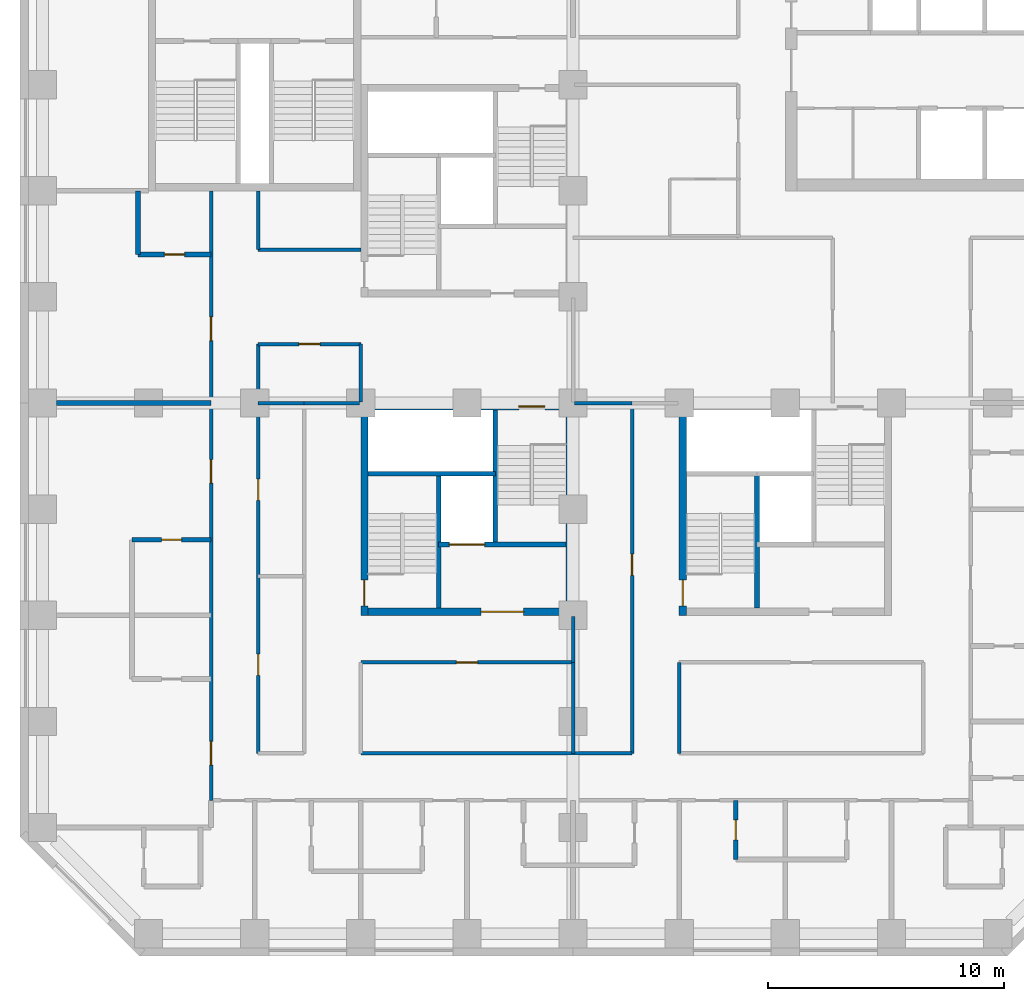
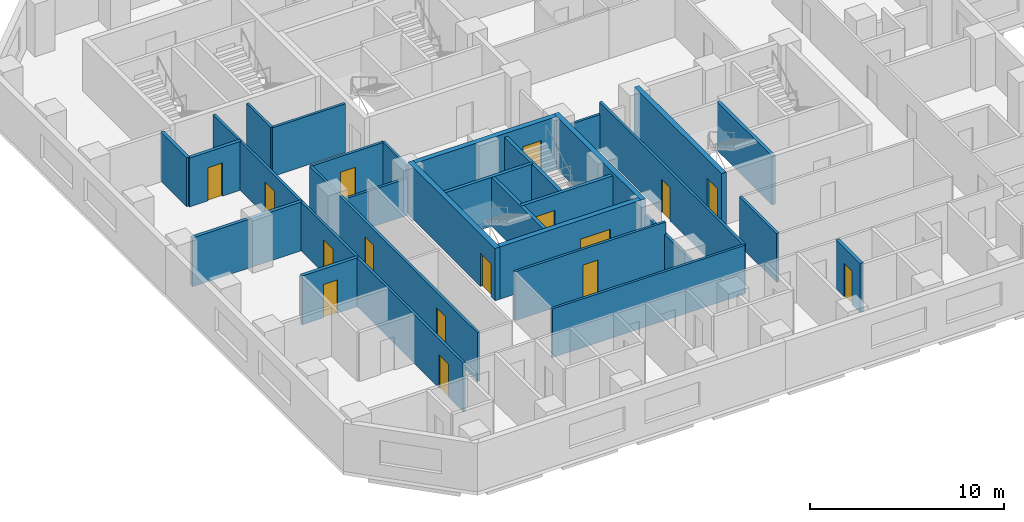
# One storey, part 3 of 12: 30 walls, 16 doors, 16 openings.
"""IFC4 building model written with IfcOpenShell, lengths in metres."""

from ifc_helpers import new_model, si_unit, direction, frame, frame_2d, origin, place, context, subcontext, project, spatial, rectangle, extrude, material, layer, layer_set, type_object, element, fill, save


model = new_model("IFC4")

# Units and contexts
model_context = context("Model", 3, precision=1e-05, world=origin(), true_north=direction((0.0, 1.0)))
body_context = subcontext(model_context, "Body", "Model", "MODEL_VIEW")
ifc_project = project(units=[si_unit("LENGTHUNIT", "METRE"), si_unit("AREAUNIT", "SQUARE_METRE"), si_unit("VOLUMEUNIT", "CUBIC_METRE"), si_unit("PLANEANGLEUNIT", "RADIAN"), si_unit("MASSUNIT", "GRAM", prefix="KILO")], contexts=[model_context])

# Site, building, storey
site_placement = place(None, origin())
site = spatial("IfcSite", under=ifc_project, at=site_placement, CompositionType="ELEMENT")
building_placement = place(site_placement, origin())
building = spatial("IfcBuilding", under=site, at=building_placement, Name="Quoin Convention Tower", CompositionType="ELEMENT")
storey_placement = place(building_placement, frame((0.0, 0.0, 29.699951171875)))
storey = spatial("IfcBuildingStorey", under=building, at=storey_placement, Name="L06", CompositionType="ELEMENT", Elevation=29.699951171875)

# Wall
ifc_material_1 = material(Name="Concrete C50", Category="concrete")
ifc_layer_1 = layer(ifc_material_1, 0.199951171875)
ifc_layer_set_1 = layer_set([ifc_layer_1], Name="Concrete C50")
wall_type_1 = type_object("IfcWallType", Name="Core shaft wall", PredefinedType="SOLIDWALL", material=ifc_layer_set_1)
wall_1_placement = place(storey_placement, frame((43.800048828125, 31.800048828125, 0.0), z_axis=(0.0, 0.0, 1.0), x_axis=(0.0, 1.0, 0.0)))
element("IfcWall", 1, at=wall_1_placement, inside=storey, type_object=wall_type_1, Name="cr-P3-L06-v3300_300", PredefinedType="SOLIDWALL", context=body_context, shape_type="SweptSolid", body=[
    extrude(rectangle(XDim=5.699951171875, YDim=0.199951171875, at=frame_2d((2.85009765625, 0.0))), origin(), (0.0, 0.0, 1.0), 3.080078125),
])

# Wall, opening, door
wall_2_placement = place(storey_placement, frame((30.300048828125, 34.5, 0.0), z_axis=(0.0, 0.0, 1.0), x_axis=(1.0, 0.0, 0.0)))
wall_2 = element("IfcWall", 2, at=wall_2_placement, inside=storey, type_object=wall_type_1, Name="cr-P4-L06-h3000_3300", PredefinedType="SOLIDWALL", context=body_context, shape_type="SweptSolid", body=[
    extrude(rectangle(XDim=5.39990234375, YDim=0.199951171875, at=frame_2d((2.699951171875, 0.0))), origin(), (0.0, 0.0, 1.0), 3.080078125),
])
opening_1_placement = place(wall_2_placement, frame((0.449951171875, 0.0, 0.0)))
opening_1 = element("IfcOpeningElement", 3, at=opening_1_placement, cuts=wall_2, Name="Opening LDGL1", PredefinedType="OPENING", context=body_context, shape_type="SweptSolid", body=[
    extrude(rectangle(XDim=1.5, YDim=2.10009765625, at=frame_2d((0.75, 1.050048828125))), frame((0.0, 0.10986328125, 0.0), z_axis=(0.0, -1.0, 0.0), x_axis=(1.0, 0.0, 0.0)), (0.0, 0.0, 1.0), 0.219970703125),
])
ifc_material_2 = material(Name="Steel door leaf", Category="steel")
door_type_1 = type_object("IfcDoorType", Name="Lift landing door 1500 x 2100", OperationType="DOUBLE_DOOR_SLIDING", PredefinedType="DOOR", material=ifc_material_2)
door_1_placement = place(opening_1_placement, origin())
door_1 = element("IfcDoor", 4, at=door_1_placement, inside=storey, type_object=door_type_1, Name="cd-P4-L06-CEN-R2-LDGL1", OperationType="DOUBLE_DOOR_SLIDING", OverallHeight=2.10009765625, OverallWidth=1.5, PredefinedType="DOOR", context=body_context, shape_type="SweptSolid", body=[
    extrude(rectangle(XDim=1.5, YDim=2.10009765625, at=frame_2d((0.75, 1.050048828125))), frame((0.0, 0.02490234375, 0.0), z_axis=(0.0, -1.0, 0.0), x_axis=(1.0, 0.0, 0.0)), (0.0, 0.0, 1.0), 0.050048828125),
])
fill(opening_1, door_1)

# Walls
wall_3_placement = place(storey_placement, frame((27.300048828125, 37.5, 0.0), z_axis=(0.0, 0.0, 1.0), x_axis=(1.0, 0.0, 0.0)))
element("IfcWall", 5, at=wall_3_placement, inside=storey, type_object=wall_type_1, Name="cr-P4-L06-h6000_300", PredefinedType="SOLIDWALL", context=body_context, shape_type="SweptSolid", body=[
    extrude(rectangle(XDim=5.39990234375, YDim=0.199951171875, at=frame_2d((2.699951171875, 0.0))), origin(), (0.0, 0.0, 1.0), 3.080078125),
])
for number, where, z_axis, x_axis, name in (
    (6, (30.300048828125, 31.800048828125, 0.0), (0.0, 0.0, 1.0), (0.0, 1.0, 0.0), "cr-P4-L06-v3300_300"),
    (7, (32.699951171875, 34.5, 0.0), (0.0, 0.0, 1.0), (0.0, 1.0, 0.0), "cr-P4-L06-v5700_3000"),
):
    element("IfcWall", number, at=place(storey_placement, frame(where, z_axis=z_axis, x_axis=x_axis)), inside=storey, type_object=wall_type_1, Name=name, PredefinedType="SOLIDWALL", context=body_context, shape_type="SweptSolid", body=[
        extrude(rectangle(XDim=5.699951171875, YDim=0.199951171875, at=frame_2d((2.85009765625, 0.0))), origin(), (0.0, 0.0, 1.0), 3.080078125),
    ])

# Wall, opening, door
ifc_material_3 = material(Name="Concrete C80", Category="concrete")
ifc_layer_2 = layer(ifc_material_3, 0.300048828125)
ifc_layer_set_2 = layer_set([ifc_layer_2], Name="Concrete C80")
wall_type_2 = type_object("IfcWallType", Name="RC CORE WALL 300 C80", PredefinedType="SHEAR", material=ifc_layer_set_2)
wall_4_placement = place(storey_placement, frame((40.64990234375, 31.5, 0.0), z_axis=(0.0, 0.0, 1.0), x_axis=(0.0, 1.0, 0.0)))
wall_4 = element("IfcWall", 8, at=wall_4_placement, inside=storey, type_object=wall_type_2, Name="cwl-P3-L06-W", PredefinedType="SHEAR", context=body_context, shape_type="SweptSolid", body=[
    extrude(rectangle(XDim=9.0, YDim=0.300048828125, at=frame_2d((4.5, 0.0))), origin(), (0.0, 0.0, 1.0), 3.300048828125),
])
opening_2_placement = place(wall_4_placement, frame((0.39990234375, 0.0, 0.0)))
opening_2 = element("IfcOpeningElement", 9, at=opening_2_placement, cuts=wall_4, Name="Opening SD5", PredefinedType="OPENING", context=body_context, shape_type="SweptSolid", body=[
    extrude(rectangle(XDim=1.10009765625, YDim=2.10009765625, at=frame_2d((0.550048828125, 1.050048828125))), frame((0.0, 0.159912109375, 0.0), z_axis=(0.0, -1.0, 0.0), x_axis=(1.0, 0.0, 0.0)), (0.0, 0.0, 1.0), 0.320068359375),
])
door_type_2 = type_object("IfcDoorType", Name="Stair door 1100 x 2100", OperationType="SINGLE_SWING_RIGHT", PredefinedType="DOOR", material=ifc_material_2)
door_2_placement = place(opening_2_placement, frame((1.10009765625, 0.0, 0.0), z_axis=(0.0, 0.0, 1.0), x_axis=(-1.0, 0.0, 0.0)))
door_2 = element("IfcDoor", 10, at=door_2_placement, inside=storey, type_object=door_type_2, Name="cd-P3-L06-SA-W", OperationType="SINGLE_SWING_RIGHT", OverallHeight=2.10009765625, OverallWidth=1.10009765625, PredefinedType="DOOR", context=body_context, shape_type="SweptSolid", body=[
    extrude(rectangle(XDim=1.10009765625, YDim=2.10009765625, at=frame_2d((0.550048828125, 1.050048828125))), frame((0.0, 0.02490234375, 0.0), z_axis=(0.0, -1.0, 0.0), x_axis=(1.0, 0.0, 0.0)), (0.0, 0.0, 1.0), 0.050048828125),
])
fill(opening_2, door_2)

wall_5_placement = place(storey_placement, frame((27.300048828125, 31.64990234375, 0.0), z_axis=(0.0, 0.0, 1.0), x_axis=(1.0, 0.0, 0.0)))
wall_5 = element("IfcWall", 11, at=wall_5_placement, inside=storey, type_object=wall_type_2, Name="cwl-P4-L06-S", PredefinedType="SHEAR", context=body_context, shape_type="SweptSolid", body=[
    extrude(rectangle(XDim=8.39990234375, YDim=0.300048828125, at=frame_2d((4.199951171875, 0.0))), origin(), (0.0, 0.0, 1.0), 3.300048828125),
])
opening_3_placement = place(wall_5_placement, frame((4.800048828125, 0.0, 0.0)))
opening_3 = element("IfcOpeningElement", 12, at=opening_3_placement, cuts=wall_5, Name="Opening DCV2-43", PredefinedType="OPENING", context=body_context, shape_type="SweptSolid", body=[
    extrude(rectangle(XDim=1.800048828125, YDim=2.10009765625, at=frame_2d((0.89990234375, 1.050048828125))), frame((0.0, 0.159912109375, 0.0), z_axis=(0.0, -1.0, 0.0), x_axis=(1.0, 0.0, 0.0)), (0.0, 0.0, 1.0), 0.320068359375),
])
door_type_3 = type_object("IfcDoorType", Name="Goods lobby door 1800 x 2100", OperationType="SINGLE_SWING_LEFT", PredefinedType="DOOR", material=ifc_material_2)
door_3_placement = place(opening_3_placement, origin())
door_3 = element("IfcDoor", 13, at=door_3_placement, inside=storey, type_object=door_type_3, Name="cd-P4-L06-R2-S", OperationType="SINGLE_SWING_LEFT", OverallHeight=2.10009765625, OverallWidth=1.800048828125, PredefinedType="DOOR", context=body_context, shape_type="SweptSolid", body=[
    extrude(rectangle(XDim=1.800048828125, YDim=2.10009765625, at=frame_2d((0.89990234375, 1.050048828125))), frame((0.0, 0.02490234375, 0.0), z_axis=(0.0, -1.0, 0.0), x_axis=(1.0, 0.0, 0.0)), (0.0, 0.0, 1.0), 0.050048828125),
])
fill(opening_3, door_3)

wall_6_placement = place(storey_placement, frame((27.300048828125, 40.35009765625, 0.0), z_axis=(0.0, 0.0, 1.0), x_axis=(1.0, 0.0, 0.0)))
wall_6 = element("IfcWall", 14, at=wall_6_placement, inside=storey, type_object=wall_type_2, Name="cwl-P4-L06-N", PredefinedType="SHEAR", context=body_context, shape_type="SweptSolid", body=[
    extrude(rectangle(XDim=8.39990234375, YDim=0.300048828125, at=frame_2d((4.199951171875, 0.0))), origin(), (0.0, 0.0, 1.0), 3.300048828125),
])
opening_4_placement = place(wall_6_placement, frame((6.39990234375, 0.0, 0.0)))
opening_4 = element("IfcOpeningElement", 15, at=opening_4_placement, cuts=wall_6, Name="Opening SD8", PredefinedType="OPENING", context=body_context, shape_type="SweptSolid", body=[
    extrude(rectangle(XDim=1.10009765625, YDim=2.10009765625, at=frame_2d((0.550048828125, 1.050048828125))), frame((0.0, 0.159912109375, 0.0), z_axis=(0.0, -1.0, 0.0), x_axis=(1.0, 0.0, 0.0)), (0.0, 0.0, 1.0), 0.320068359375),
])
door_4_placement = place(opening_4_placement, frame((1.10009765625, 0.0, 0.0), z_axis=(0.0, 0.0, 1.0), x_axis=(-1.0, 0.0, 0.0)))
door_4 = element("IfcDoor", 16, at=door_4_placement, inside=storey, type_object=door_type_2, Name="cd-P4-L06-SB-N", OperationType="SINGLE_SWING_LEFT", OverallHeight=2.10009765625, OverallWidth=1.10009765625, PredefinedType="DOOR", context=body_context, shape_type="SweptSolid", body=[
    extrude(rectangle(XDim=1.10009765625, YDim=2.10009765625, at=frame_2d((0.550048828125, 1.050048828125))), frame((0.0, 0.02490234375, 0.0), z_axis=(0.0, -1.0, 0.0), x_axis=(1.0, 0.0, 0.0)), (0.0, 0.0, 1.0), 0.050048828125),
])
fill(opening_4, door_4)

wall_7_placement = place(storey_placement, frame((27.14990234375, 31.5, 0.0), z_axis=(0.0, 0.0, 1.0), x_axis=(0.0, 1.0, 0.0)))
wall_7 = element("IfcWall", 17, at=wall_7_placement, inside=storey, type_object=wall_type_2, Name="cwl-P4-L06-W", PredefinedType="SHEAR", context=body_context, shape_type="SweptSolid", body=[
    extrude(rectangle(XDim=9.0, YDim=0.300048828125, at=frame_2d((4.5, 0.0))), origin(), (0.0, 0.0, 1.0), 3.300048828125),
])
opening_5_placement = place(wall_7_placement, frame((0.39990234375, 0.0, 0.0)))
opening_5 = element("IfcOpeningElement", 18, at=opening_5_placement, cuts=wall_7, Name="Opening SD7", PredefinedType="OPENING", context=body_context, shape_type="SweptSolid", body=[
    extrude(rectangle(XDim=1.10009765625, YDim=2.10009765625, at=frame_2d((0.550048828125, 1.050048828125))), frame((0.0, 0.159912109375, 0.0), z_axis=(0.0, -1.0, 0.0), x_axis=(1.0, 0.0, 0.0)), (0.0, 0.0, 1.0), 0.320068359375),
])
door_5_placement = place(opening_5_placement, frame((1.10009765625, 0.0, 0.0), z_axis=(0.0, 0.0, 1.0), x_axis=(-1.0, 0.0, 0.0)))
door_5 = element("IfcDoor", 19, at=door_5_placement, inside=storey, type_object=door_type_2, Name="cd-P4-L06-SA-W", OperationType="SINGLE_SWING_RIGHT", OverallHeight=2.10009765625, OverallWidth=1.10009765625, PredefinedType="DOOR", context=body_context, shape_type="SweptSolid", body=[
    extrude(rectangle(XDim=1.10009765625, YDim=2.10009765625, at=frame_2d((0.550048828125, 1.050048828125))), frame((0.0, 0.02490234375, 0.0), z_axis=(0.0, -1.0, 0.0), x_axis=(1.0, 0.0, 0.0)), (0.0, 0.0, 1.0), 0.050048828125),
])
fill(opening_5, door_5)

# Wall
wall_8_placement = place(storey_placement, frame((35.85009765625, 31.5, 0.0), z_axis=(0.0, 0.0, 1.0), x_axis=(0.0, 1.0, 0.0)))
element("IfcWall", 20, at=wall_8_placement, inside=storey, type_object=wall_type_2, Name="cwl-P4-L06-E", PredefinedType="SHEAR", context=body_context, shape_type="SweptSolid", body=[
    extrude(rectangle(XDim=9.0, YDim=0.300048828125, at=frame_2d((4.5, 0.0))), origin(), (0.0, 0.0, 1.0), 3.300048828125),
])

# Wall, opening, door
ifc_layer_3 = layer(ifc_material_1, 0.199951171875)
ifc_layer_set_3 = layer_set([ifc_layer_3], Name="Concrete C50")
wall_type_3 = type_object("IfcWallType", Name="RC party wall", PredefinedType="SOLIDWALL", material=ifc_layer_set_3)
wall_9_placement = place(storey_placement, frame((42.89990234375, 21.14990234375, 0.0), z_axis=(0.0, 0.0, 1.0), x_axis=(0.0, 1.0, 0.0)))
wall_9 = element("IfcWall", 21, at=wall_9_placement, inside=storey, type_object=wall_type_3, Name="pw-L06-057", PredefinedType="SOLIDWALL", context=body_context, shape_type="SweptSolid", body=[
    extrude(rectangle(XDim=2.5, YDim=0.199951171875, at=frame_2d((1.25, 0.0))), origin(), (0.0, 0.0, 1.0), 3.080078125),
])
opening_6_placement = place(wall_9_placement, frame((0.824951171875, 0.0, 0.0)))
opening_6 = element("IfcOpeningElement", 22, at=opening_6_placement, cuts=wall_9, Name="Opening DHOTEL-B-48", PredefinedType="OPENING", context=body_context, shape_type="SweptSolid", body=[
    extrude(rectangle(XDim=0.85009765625, YDim=2.10009765625, at=frame_2d((0.425048828125, 1.050048828125))), frame((0.0, 0.10986328125, 0.0), z_axis=(0.0, -1.0, 0.0), x_axis=(1.0, 0.0, 0.0)), (0.0, 0.0, 1.0), 0.219970703125),
])
door_type_4 = type_object("IfcDoorType", Name="Bathroom door", OperationType="SINGLE_SWING_LEFT", PredefinedType="DOOR", material=ifc_material_2)
door_6_placement = place(opening_6_placement, frame((0.85009765625, 0.0, 0.0), z_axis=(0.0, 0.0, 1.0), x_axis=(-1.0, 0.0, 0.0)))
door_6 = element("IfcDoor", 23, at=door_6_placement, inside=storey, type_object=door_type_4, Name="dr-L06-010", OperationType="SINGLE_SWING_LEFT", OverallHeight=2.10009765625, OverallWidth=0.85009765625, PredefinedType="DOOR", context=body_context, shape_type="SweptSolid", body=[
    extrude(rectangle(XDim=0.85009765625, YDim=2.10009765625, at=frame_2d((0.425048828125, 1.050048828125))), frame((0.0, 0.02490234375, 0.0), z_axis=(0.0, -1.0, 0.0), x_axis=(1.0, 0.0, 0.0)), (0.0, 0.0, 1.0), 0.050048828125),
])
fill(opening_6, door_6)

wall_10_placement = place(storey_placement, frame((17.300048828125, 34.699951171875, 0.0), z_axis=(0.0, 0.0, 1.0), x_axis=(1.0, 0.0, 0.0)))
wall_10 = element("IfcWall", 24, at=wall_10_placement, inside=storey, type_object=wall_type_3, Name="pw-L06-071", PredefinedType="SOLIDWALL", context=body_context, shape_type="SweptSolid", body=[
    extrude(rectangle(XDim=3.349853515625, YDim=0.199951171875, at=frame_2d((1.6748046875, 0.0))), origin(), (0.0, 0.0, 1.0), 3.080078125),
])
opening_7_placement = place(wall_10_placement, frame((1.25, 0.0, 0.0)))
opening_7 = element("IfcOpeningElement", 25, at=opening_7_placement, cuts=wall_10, Name="Opening DHOTEL-B-53", PredefinedType="OPENING", context=body_context, shape_type="SweptSolid", body=[
    extrude(rectangle(XDim=0.85009765625, YDim=2.10009765625, at=frame_2d((0.425048828125, 1.050048828125))), frame((0.0, 0.10986328125, 0.0), z_axis=(0.0, -1.0, 0.0), x_axis=(1.0, 0.0, 0.0)), (0.0, 0.0, 1.0), 0.219970703125),
])
door_7_placement = place(opening_7_placement, origin())
door_7 = element("IfcDoor", 26, at=door_7_placement, inside=storey, type_object=door_type_4, Name="dr-L06-016", OperationType="SINGLE_SWING_RIGHT", OverallHeight=2.10009765625, OverallWidth=0.85009765625, PredefinedType="DOOR", context=body_context, shape_type="SweptSolid", body=[
    extrude(rectangle(XDim=0.85009765625, YDim=2.10009765625, at=frame_2d((0.425048828125, 1.050048828125))), frame((0.0, 0.02490234375, 0.0), z_axis=(0.0, -1.0, 0.0), x_axis=(1.0, 0.0, 0.0)), (0.0, 0.0, 1.0), 0.050048828125),
])
fill(opening_7, door_7)

# Wall
wall_11_placement = place(storey_placement, frame((14.10009765625, 40.5, 0.0), z_axis=(0.0, 0.0, 1.0), x_axis=(1.0, 0.0, 0.0)))
element("IfcWall", 27, at=wall_11_placement, inside=storey, type_object=wall_type_3, Name="pw-L06-075", PredefinedType="SOLIDWALL", context=body_context, shape_type="SweptSolid", body=[
    extrude(rectangle(XDim=6.5498046875, YDim=0.199951171875, at=frame_2d((3.27490234375, 0.0))), origin(), (0.0, 0.0, 1.0), 3.080078125),
])

# Wall, opening, door
wall_12_placement = place(storey_placement, frame((17.550048828125, 46.800048828125, 0.0), z_axis=(0.0, 0.0, 1.0), x_axis=(1.0, 0.0, 0.0)))
wall_12 = element("IfcWall", 28, at=wall_12_placement, inside=storey, type_object=wall_type_3, Name="pw-L06-085", PredefinedType="SOLIDWALL", context=body_context, shape_type="SweptSolid", body=[
    extrude(rectangle(XDim=3.099853515625, YDim=0.199951171875, at=frame_2d((1.5498046875, 0.0))), origin(), (0.0, 0.0, 1.0), 3.080078125),
])
opening_8_placement = place(wall_12_placement, frame((1.125, 0.0, 0.0)))
opening_8 = element("IfcOpeningElement", 29, at=opening_8_placement, cuts=wall_12, Name="Opening DHOTEL-B-57", PredefinedType="OPENING", context=body_context, shape_type="SweptSolid", body=[
    extrude(rectangle(XDim=0.85009765625, YDim=2.10009765625, at=frame_2d((0.425048828125, 1.050048828125))), frame((0.0, 0.10986328125, 0.0), z_axis=(0.0, -1.0, 0.0), x_axis=(1.0, 0.0, 0.0)), (0.0, 0.0, 1.0), 0.219970703125),
])
door_8_placement = place(opening_8_placement, frame((0.85009765625, 0.0, 0.0), z_axis=(0.0, 0.0, 1.0), x_axis=(-1.0, 0.0, 0.0)))
door_8 = element("IfcDoor", 30, at=door_8_placement, inside=storey, type_object=door_type_4, Name="dr-L06-018", OperationType="SINGLE_SWING_LEFT", OverallHeight=2.10009765625, OverallWidth=0.85009765625, PredefinedType="DOOR", context=body_context, shape_type="SweptSolid", body=[
    extrude(rectangle(XDim=0.85009765625, YDim=2.10009765625, at=frame_2d((0.425048828125, 1.050048828125))), frame((0.0, 0.02490234375, 0.0), z_axis=(0.0, -1.0, 0.0), x_axis=(1.0, 0.0, 0.0)), (0.0, 0.0, 1.0), 0.050048828125),
])
fill(opening_8, door_8)

# Wall
wall_13_placement = place(storey_placement, frame((17.550048828125, 46.800048828125, 0.0), z_axis=(0.0, 0.0, 1.0), x_axis=(0.0, 1.0, 0.0)))
element("IfcWall", 31, at=wall_13_placement, inside=storey, type_object=wall_type_3, Name="pw-L06-086", PredefinedType="SOLIDWALL", context=body_context, shape_type="SweptSolid", body=[
    extrude(rectangle(XDim=2.699951171875, YDim=0.199951171875, at=frame_2d((1.35009765625, 0.0))), origin(), (0.0, 0.0, 1.0), 3.080078125),
])

# Wall, openings, doors
ifc_material_4 = material(Name="Plasterboard")
ifc_layer_4 = layer(ifc_material_4, 0.012451171875, Name="Finish")
ifc_material_5 = material(Name="Steel stud framing", Category="steel")
ifc_layer_5 = layer(ifc_material_5, 0.125, Name="Structure")
ifc_layer_6 = layer(ifc_material_4, 0.012451171875, Name="Finish")
ifc_layer_set_4 = layer_set([ifc_layer_4, ifc_layer_5, ifc_layer_6], Name="Steel stud framing")
wall_type_4 = type_object("IfcWallType", Name="corridor partition", PredefinedType="PARTITIONING", material=ifc_layer_set_4)
wall_14_placement = place(storey_placement, frame((20.64990234375, 23.64990234375, 0.0), z_axis=(0.0, 0.0, 1.0), x_axis=(0.0, 1.0, 0.0)))
wall_14 = element("IfcWall", 32, at=wall_14_placement, inside=storey, type_object=wall_type_4, Name="pw-L06-006", PredefinedType="PARTITIONING", context=body_context, shape_type="SweptSolid", body=[
    extrude(rectangle(XDim=25.85009765625, YDim=0.14990234375, at=frame_2d((12.925048828125, 0.0))), origin(), (0.0, 0.0, 1.0), 3.080078125),
])
opening_9_placement = place(wall_14_placement, frame((1.5, 0.0, 0.0)))
opening_9 = element("IfcOpeningElement", 33, at=opening_9_placement, cuts=wall_14, Name="Opening DHOTEL-B-09", PredefinedType="OPENING", context=body_context, shape_type="SweptSolid", body=[
    extrude(rectangle(XDim=1.0, YDim=2.10009765625, at=frame_2d((0.5, 1.050048828125))), frame((0.0, 0.0849609375, 0.0), z_axis=(0.0, -1.0, 0.0), x_axis=(1.0, 0.0, 0.0)), (0.0, 0.0, 1.0), 0.169921875),
])
opening_10_placement = place(wall_14_placement, frame((13.449951171875, 0.0, 0.0)))
opening_10 = element("IfcOpeningElement", 34, at=opening_10_placement, cuts=wall_14, Name="Opening DHOTEL-B-10", PredefinedType="OPENING", context=body_context, shape_type="SweptSolid", body=[
    extrude(rectangle(XDim=1.0, YDim=2.10009765625, at=frame_2d((0.5, 1.050048828125))), frame((0.0, 0.0849609375, 0.0), z_axis=(0.0, -1.0, 0.0), x_axis=(1.0, 0.0, 0.0)), (0.0, 0.0, 1.0), 0.169921875),
])
opening_11_placement = place(wall_14_placement, frame((19.5, 0.0, 0.0)))
opening_11 = element("IfcOpeningElement", 35, at=opening_11_placement, cuts=wall_14, Name="Opening DHOTEL-B-11", PredefinedType="OPENING", context=body_context, shape_type="SweptSolid", body=[
    extrude(rectangle(XDim=1.0, YDim=2.10009765625, at=frame_2d((0.5, 1.050048828125))), frame((0.0, 0.0849609375, 0.0), z_axis=(0.0, -1.0, 0.0), x_axis=(1.0, 0.0, 0.0)), (0.0, 0.0, 1.0), 0.169921875),
])
door_type_5 = type_object("IfcDoorType", Name="Hotel room door", OperationType="SINGLE_SWING_LEFT", PredefinedType="DOOR", material=ifc_material_2)
door_9_placement = place(opening_9_placement, origin())
door_9 = element("IfcDoor", 36, at=door_9_placement, inside=storey, type_object=door_type_5, Name="dr-L06-013", OperationType="SINGLE_SWING_LEFT", OverallHeight=2.10009765625, OverallWidth=1.0, PredefinedType="DOOR", context=body_context, shape_type="SweptSolid", body=[
    extrude(rectangle(XDim=1.0, YDim=2.10009765625, at=frame_2d((0.5, 1.050048828125))), frame((0.0, 0.02490234375, 0.0), z_axis=(0.0, -1.0, 0.0), x_axis=(1.0, 0.0, 0.0)), (0.0, 0.0, 1.0), 0.050048828125),
])
fill(opening_9, door_9)
door_10_placement = place(opening_10_placement, origin())
door_10 = element("IfcDoor", 37, at=door_10_placement, inside=storey, type_object=door_type_5, Name="dr-L06-015", OperationType="SINGLE_SWING_RIGHT", OverallHeight=2.10009765625, OverallWidth=1.0, PredefinedType="DOOR", context=body_context, shape_type="SweptSolid", body=[
    extrude(rectangle(XDim=1.0, YDim=2.10009765625, at=frame_2d((0.5, 1.050048828125))), frame((0.0, 0.02490234375, 0.0), z_axis=(0.0, -1.0, 0.0), x_axis=(1.0, 0.0, 0.0)), (0.0, 0.0, 1.0), 0.050048828125),
])
fill(opening_10, door_10)
door_11_placement = place(opening_11_placement, origin())
door_11 = element("IfcDoor", 38, at=door_11_placement, inside=storey, type_object=door_type_5, Name="dr-L06-017", OperationType="SINGLE_SWING_RIGHT", OverallHeight=2.10009765625, OverallWidth=1.0, PredefinedType="DOOR", context=body_context, shape_type="SweptSolid", body=[
    extrude(rectangle(XDim=1.0, YDim=2.10009765625, at=frame_2d((0.5, 1.050048828125))), frame((0.0, 0.02490234375, 0.0), z_axis=(0.0, -1.0, 0.0), x_axis=(1.0, 0.0, 0.0)), (0.0, 0.0, 1.0), 0.050048828125),
])
fill(opening_11, door_11)

wall_15_placement = place(storey_placement, frame((22.64990234375, 25.64990234375, 0.0), z_axis=(0.0, 0.0, 1.0), x_axis=(0.0, 1.0, 0.0)))
wall_15 = element("IfcWall", 39, at=wall_15_placement, inside=storey, type_object=wall_type_4, Name="pw-L06-009", PredefinedType="PARTITIONING", context=body_context, shape_type="SweptSolid", body=[
    extrude(rectangle(XDim=17.35009765625, YDim=0.14990234375, at=frame_2d((8.675048828125, 0.0))), origin(), (0.0, 0.0, 1.0), 3.080078125),
])
opening_12_placement = place(wall_15_placement, frame((3.300048828125, 0.0, 0.0)))
opening_12 = element("IfcOpeningElement", 40, at=opening_12_placement, cuts=wall_15, Name="Opening DHOTEL-B-16", PredefinedType="OPENING", context=body_context, shape_type="SweptSolid", body=[
    extrude(rectangle(XDim=0.89990234375, YDim=2.10009765625, at=frame_2d((0.449951171875, 1.050048828125))), frame((0.0, 0.0849609375, 0.0), z_axis=(0.0, -1.0, 0.0), x_axis=(1.0, 0.0, 0.0)), (0.0, 0.0, 1.0), 0.169921875),
])
opening_13_placement = place(wall_15_placement, frame((10.72509765625, 0.0, 0.0)))
opening_13 = element("IfcOpeningElement", 41, at=opening_13_placement, cuts=wall_15, Name="Opening DHOTEL-B-17", PredefinedType="OPENING", context=body_context, shape_type="SweptSolid", body=[
    extrude(rectangle(XDim=0.89990234375, YDim=2.10009765625, at=frame_2d((0.449951171875, 1.050048828125))), frame((0.0, 0.0849609375, 0.0), z_axis=(0.0, -1.0, 0.0), x_axis=(1.0, 0.0, 0.0)), (0.0, 0.0, 1.0), 0.169921875),
])
door_type_6 = type_object("IfcDoorType", Name="Service room door", OperationType="SINGLE_SWING_LEFT", PredefinedType="DOOR", material=ifc_material_2)
door_12_placement = place(opening_12_placement, frame((0.89990234375, 0.0, 0.0), z_axis=(0.0, 0.0, 1.0), x_axis=(-1.0, 0.0, 0.0)))
door_12 = element("IfcDoor", 42, at=door_12_placement, inside=storey, type_object=door_type_6, Name="dr-L06-069", OperationType="SINGLE_SWING_LEFT", OverallHeight=2.10009765625, OverallWidth=0.89990234375, PredefinedType="DOOR", context=body_context, shape_type="SweptSolid", body=[
    extrude(rectangle(XDim=0.89990234375, YDim=2.10009765625, at=frame_2d((0.449951171875, 1.050048828125))), frame((0.0, 0.02490234375, 0.0), z_axis=(0.0, -1.0, 0.0), x_axis=(1.0, 0.0, 0.0)), (0.0, 0.0, 1.0), 0.050048828125),
])
fill(opening_12, door_12)
door_13_placement = place(opening_13_placement, frame((0.89990234375, 0.0, 0.0), z_axis=(0.0, 0.0, 1.0), x_axis=(-1.0, 0.0, 0.0)))
door_13 = element("IfcDoor", 43, at=door_13_placement, inside=storey, type_object=door_type_6, Name="dr-L06-070", OperationType="SINGLE_SWING_LEFT", OverallHeight=2.10009765625, OverallWidth=0.89990234375, PredefinedType="DOOR", context=body_context, shape_type="SweptSolid", body=[
    extrude(rectangle(XDim=0.89990234375, YDim=2.10009765625, at=frame_2d((0.449951171875, 1.050048828125))), frame((0.0, 0.02490234375, 0.0), z_axis=(0.0, -1.0, 0.0), x_axis=(1.0, 0.0, 0.0)), (0.0, 0.0, 1.0), 0.050048828125),
])
fill(opening_13, door_13)

# Wall
wall_16_placement = place(storey_placement, frame((27.0, 25.64990234375, 0.0), z_axis=(0.0, 0.0, 1.0), x_axis=(1.0, 0.0, 0.0)))
element("IfcWall", 44, at=wall_16_placement, inside=storey, type_object=wall_type_4, Name="pw-L06-011", PredefinedType="PARTITIONING", context=body_context, shape_type="SweptSolid", body=[
    extrude(rectangle(XDim=11.5, YDim=0.14990234375, at=frame_2d((5.75, 0.0))), origin(), (0.0, 0.0, 1.0), 3.080078125),
])

# Wall, opening, door
wall_17_placement = place(storey_placement, frame((38.5, 25.64990234375, 0.0), z_axis=(0.0, 0.0, 1.0), x_axis=(0.0, 1.0, 0.0)))
wall_17 = element("IfcWall", 45, at=wall_17_placement, inside=storey, type_object=wall_type_4, Name="pw-L06-013", PredefinedType="PARTITIONING", context=body_context, shape_type="SweptSolid", body=[
    extrude(rectangle(XDim=14.85009765625, YDim=0.14990234375, at=frame_2d((7.425048828125, 0.0))), origin(), (0.0, 0.0, 1.0), 3.080078125),
])
opening_14_placement = place(wall_17_placement, frame((7.5400390625, 0.0, 0.0)))
opening_14 = element("IfcOpeningElement", 46, at=opening_14_placement, cuts=wall_17, Name="Opening DHOTEL-B-18", PredefinedType="OPENING", context=body_context, shape_type="SweptSolid", body=[
    extrude(rectangle(XDim=0.89990234375, YDim=2.10009765625, at=frame_2d((0.449951171875, 1.050048828125))), frame((0.0, 0.0849609375, 0.0), z_axis=(0.0, -1.0, 0.0), x_axis=(1.0, 0.0, 0.0)), (0.0, 0.0, 1.0), 0.169921875),
])
door_type_7 = type_object("IfcDoorType", Name="Single room door", OperationType="SINGLE_SWING_RIGHT", PredefinedType="DOOR", material=ifc_material_2)
door_14_placement = place(opening_14_placement, origin())
door_14 = element("IfcDoor", 47, at=door_14_placement, inside=storey, type_object=door_type_7, Name="dr-L06-w03", OperationType="SINGLE_SWING_RIGHT", OverallHeight=2.10009765625, OverallWidth=0.89990234375, PredefinedType="DOOR", context=body_context, shape_type="SweptSolid", body=[
    extrude(rectangle(XDim=0.89990234375, YDim=2.10009765625, at=frame_2d((0.449951171875, 1.050048828125))), frame((0.0, 0.02490234375, 0.0), z_axis=(0.0, -1.0, 0.0), x_axis=(1.0, 0.0, 0.0)), (0.0, 0.0, 1.0), 0.050048828125),
])
fill(opening_14, door_14)

# Wall
wall_18_placement = place(storey_placement, frame((40.5, 25.64990234375, 0.0), z_axis=(0.0, 0.0, 1.0), x_axis=(0.0, 1.0, 0.0)))
element("IfcWall", 48, at=wall_18_placement, inside=storey, type_object=wall_type_4, Name="pw-L06-015", PredefinedType="PARTITIONING", context=body_context, shape_type="SweptSolid", body=[
    extrude(rectangle(XDim=3.85009765625, YDim=0.14990234375, at=frame_2d((1.925048828125, 0.0))), origin(), (0.0, 0.0, 1.0), 3.080078125),
])

# Wall, opening, door
wall_19_placement = place(storey_placement, frame((27.0, 29.5, 0.0), z_axis=(0.0, 0.0, 1.0), x_axis=(1.0, 0.0, 0.0)))
wall_19 = element("IfcWall", 49, at=wall_19_placement, inside=storey, type_object=wall_type_4, Name="pw-L06-017", PredefinedType="PARTITIONING", context=body_context, shape_type="SweptSolid", body=[
    extrude(rectangle(XDim=9.0, YDim=0.14990234375, at=frame_2d((4.5, 0.0))), origin(), (0.0, 0.0, 1.0), 3.080078125),
])
opening_15_placement = place(wall_19_placement, frame((4.050048828125, 0.0, 0.0)))
opening_15 = element("IfcOpeningElement", 50, at=opening_15_placement, cuts=wall_19, Name="Opening DHOTEL-B-19", PredefinedType="OPENING", context=body_context, shape_type="SweptSolid", body=[
    extrude(rectangle(XDim=0.89990234375, YDim=2.10009765625, at=frame_2d((0.449951171875, 1.050048828125))), frame((0.0, 0.0849609375, 0.0), z_axis=(0.0, -1.0, 0.0), x_axis=(1.0, 0.0, 0.0)), (0.0, 0.0, 1.0), 0.169921875),
])
door_15_placement = place(opening_15_placement, frame((0.89990234375, 0.0, 0.0), z_axis=(0.0, 0.0, 1.0), x_axis=(-1.0, 0.0, 0.0)))
door_15 = element("IfcDoor", 51, at=door_15_placement, inside=storey, type_object=door_type_7, Name="dr-L06-071", OperationType="SINGLE_SWING_LEFT", OverallHeight=2.10009765625, OverallWidth=0.89990234375, PredefinedType="DOOR", context=body_context, shape_type="SweptSolid", body=[
    extrude(rectangle(XDim=0.89990234375, YDim=2.10009765625, at=frame_2d((0.449951171875, 1.050048828125))), frame((0.0, 0.02490234375, 0.0), z_axis=(0.0, -1.0, 0.0), x_axis=(1.0, 0.0, 0.0)), (0.0, 0.0, 1.0), 0.050048828125),
])
fill(opening_15, door_15)

# Wall
wall_20_placement = place(storey_placement, frame((27.0, 40.550048828125, 0.0), z_axis=(0.0, 0.0, 1.0), x_axis=(0.0, 1.0, 0.0)))
element("IfcWall", 52, at=wall_20_placement, inside=storey, type_object=wall_type_4, Name="pw-L06-022", PredefinedType="PARTITIONING", context=body_context, shape_type="SweptSolid", body=[
    extrude(rectangle(XDim=2.449951171875, YDim=0.14990234375, at=frame_2d((1.22509765625, 0.0))), origin(), (0.0, 0.0, 1.0), 3.080078125),
])

# Wall, opening, door
wall_21_placement = place(storey_placement, frame((22.64990234375, 43.0, 0.0), z_axis=(0.0, 0.0, 1.0), x_axis=(1.0, 0.0, 0.0)))
wall_21 = element("IfcWall", 53, at=wall_21_placement, inside=storey, type_object=wall_type_4, Name="pw-L06-025", PredefinedType="PARTITIONING", context=body_context, shape_type="SweptSolid", body=[
    extrude(rectangle(XDim=4.35009765625, YDim=0.14990234375, at=frame_2d((2.175048828125, 0.0))), origin(), (0.0, 0.0, 1.0), 3.080078125),
])
opening_16_placement = place(wall_21_placement, frame((1.72509765625, 0.0, 0.0)))
opening_16 = element("IfcOpeningElement", 54, at=opening_16_placement, cuts=wall_21, Name="Opening DHOTEL-B-22", PredefinedType="OPENING", context=body_context, shape_type="SweptSolid", body=[
    extrude(rectangle(XDim=0.89990234375, YDim=2.10009765625, at=frame_2d((0.449951171875, 1.050048828125))), frame((0.0, 0.0849609375, 0.0), z_axis=(0.0, -1.0, 0.0), x_axis=(1.0, 0.0, 0.0)), (0.0, 0.0, 1.0), 0.169921875),
])
door_type_8 = type_object("IfcDoorType", Name="Toilet door", OperationType="SINGLE_SWING_LEFT", PredefinedType="DOOR", material=ifc_material_2)
door_16_placement = place(opening_16_placement, frame((0.89990234375, 0.0, 0.0), z_axis=(0.0, 0.0, 1.0), x_axis=(-1.0, 0.0, 0.0)))
door_16 = element("IfcDoor", 55, at=door_16_placement, inside=storey, type_object=door_type_8, Name="dr-L06-074", OperationType="SINGLE_SWING_LEFT", OverallHeight=2.10009765625, OverallWidth=0.89990234375, PredefinedType="DOOR", context=body_context, shape_type="SweptSolid", body=[
    extrude(rectangle(XDim=0.89990234375, YDim=2.10009765625, at=frame_2d((0.449951171875, 1.050048828125))), frame((0.0, 0.02490234375, 0.0), z_axis=(0.0, -1.0, 0.0), x_axis=(1.0, 0.0, 0.0)), (0.0, 0.0, 1.0), 0.050048828125),
])
fill(opening_16, door_16)

# Walls
wall_22_placement = place(storey_placement, frame((22.64990234375, 47.0, 0.0), z_axis=(0.0, 0.0, 1.0), x_axis=(1.0, 0.0, 0.0)))
element("IfcWall", 56, at=wall_22_placement, inside=storey, type_object=wall_type_4, Name="pw-L06-026", PredefinedType="PARTITIONING", context=body_context, shape_type="SweptSolid", body=[
    extrude(rectangle(XDim=4.35009765625, YDim=0.14990234375, at=frame_2d((2.175048828125, 0.0))), origin(), (0.0, 0.0, 1.0), 3.080078125),
])
wall_23_placement = place(storey_placement, frame((22.64990234375, 47.0, 0.0), z_axis=(0.0, 0.0, 1.0), x_axis=(0.0, 1.0, 0.0)))
element("IfcWall", 57, at=wall_23_placement, inside=storey, type_object=wall_type_4, Name="pw-L06-027", PredefinedType="PARTITIONING", context=body_context, shape_type="SweptSolid", body=[
    extrude(rectangle(XDim=2.5, YDim=0.14990234375, at=frame_2d((1.25, 0.0))), origin(), (0.0, 0.0, 1.0), 3.080078125),
])
ifc_layer_7 = layer(ifc_material_4, 0.012451171875, Name="Finish")
ifc_layer_8 = layer(ifc_material_5, 0.125, Name="Structure")
ifc_layer_9 = layer(ifc_material_4, 0.012451171875, Name="Finish")
ifc_layer_set_5 = layer_set([ifc_layer_7, ifc_layer_8, ifc_layer_9], Name="Steel stud framing")
wall_type_5 = type_object("IfcWallType", Name="corridor partition under beam 750", PredefinedType="PARTITIONING", material=ifc_layer_set_5)
wall_24_placement = place(storey_placement, frame((36.0, 29.5, 0.0), z_axis=(0.0, 0.0, 1.0), x_axis=(0.0, 1.0, 0.0)))
element("IfcWall", 58, at=wall_24_placement, inside=storey, type_object=wall_type_5, Name="pw-L06-018", PredefinedType="PARTITIONING", context=body_context, shape_type="SweptSolid", body=[
    extrude(rectangle(XDim=1.949951171875, YDim=0.14990234375, at=frame_2d((0.97509765625, 0.0))), origin(), (0.0, 0.0, 1.0), 2.330078125),
])
wall_25_placement = place(storey_placement, frame((24.60009765625, 40.5, 0.0), z_axis=(0.0, 0.0, 1.0), x_axis=(1.0, 0.0, 0.0)))
element("IfcWall", 59, at=wall_25_placement, inside=storey, type_object=wall_type_5, Name="pw-L06-020", PredefinedType="PARTITIONING", context=body_context, shape_type="SweptSolid", body=[
    extrude(rectangle(XDim=2.349853515625, YDim=0.14990234375, at=frame_2d((1.1748046875, 0.0))), origin(), (0.0, 0.0, 1.0), 2.330078125),
])
ifc_layer_10 = layer(ifc_material_4, 0.012451171875, Name="Finish")
ifc_layer_11 = layer(ifc_material_5, 0.125, Name="Structure")
ifc_layer_12 = layer(ifc_material_4, 0.012451171875, Name="Finish")
ifc_layer_set_6 = layer_set([ifc_layer_10, ifc_layer_11, ifc_layer_12], Name="Steel stud framing")
wall_type_6 = type_object("IfcWallType", Name="room partition under beam 750", PredefinedType="PARTITIONING", material=ifc_layer_set_6)
wall_26_placement = place(storey_placement, frame((36.0, 25.64990234375, 0.0), z_axis=(0.0, 0.0, 1.0), x_axis=(0.0, 1.0, 0.0)))
element("IfcWall", 60, at=wall_26_placement, inside=storey, type_object=wall_type_6, Name="pw-L06-148", PredefinedType="PARTITIONING", context=body_context, shape_type="SweptSolid", body=[
    extrude(rectangle(XDim=3.85009765625, YDim=0.14990234375, at=frame_2d((1.925048828125, 0.0))), origin(), (0.0, 0.0, 1.0), 2.330078125),
])
wall_27_placement = place(storey_placement, frame((22.64990234375, 40.5, 0.0), z_axis=(0.0, 0.0, 1.0), x_axis=(1.0, 0.0, 0.0)))
element("IfcWall", 61, at=wall_27_placement, inside=storey, type_object=wall_type_6, Name="pw-L06-150", PredefinedType="PARTITIONING", context=body_context, shape_type="SweptSolid", body=[
    extrude(rectangle(XDim=1.9501953125, YDim=0.14990234375, at=frame_2d((0.97509765625, 0.0))), origin(), (0.0, 0.0, 1.0), 2.330078125),
])
wall_28_placement = place(storey_placement, frame((36.050048828125, 40.5, 0.0), z_axis=(0.0, 0.0, 1.0), x_axis=(1.0, 0.0, 0.0)))
element("IfcWall", 62, at=wall_28_placement, inside=storey, type_object=wall_type_6, Name="pw-L06-151", PredefinedType="PARTITIONING", context=body_context, shape_type="SweptSolid", body=[
    extrude(rectangle(XDim=2.449951171875, YDim=0.14990234375, at=frame_2d((1.22509765625, 0.0))), origin(), (0.0, 0.0, 1.0), 2.330078125),
])

save(model, "model.ifc")
